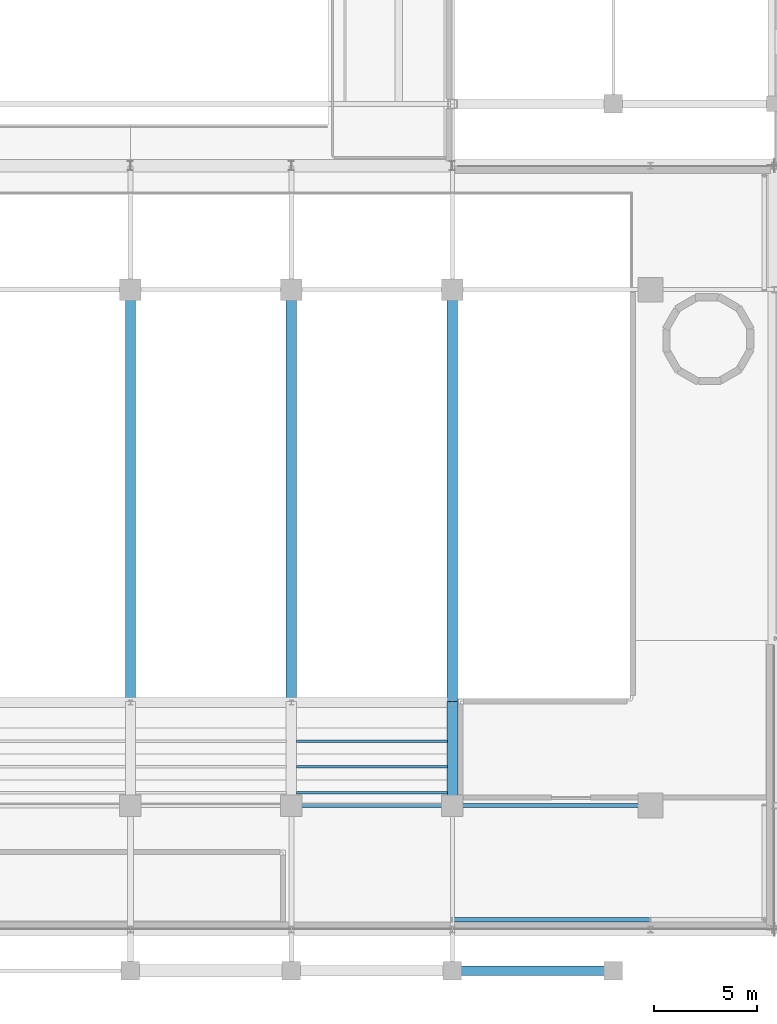
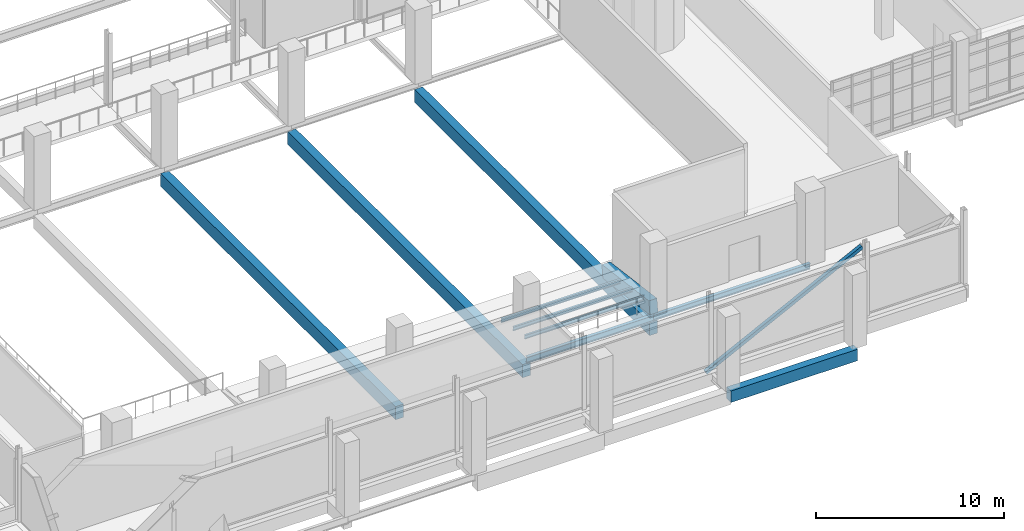
# One storey, part 38 of 102: 9 beams, 2 members.
"""IFC4 building model written with IfcOpenShell, lengths in metres."""

from ifc_helpers import new_model, si_unit, derived_unit, direction, frame, origin, origin_2d, place, context, subcontext, project, spatial, rectangle, hollow_rectangle, i_section, extrude, material, material_profile, profile_set, type_object, element, save


model = new_model("IFC4")

# Units and contexts
model_context = context("Model", 3, precision=1e-05, world=origin(), true_north=direction((0.0, 1.0)))
body_context = subcontext(model_context, "Body", "Model", "MODEL_VIEW")
ifc_project = project(units=[si_unit("LENGTHUNIT", "METRE"), si_unit("AREAUNIT", "SQUARE_METRE"), si_unit("VOLUMEUNIT", "CUBIC_METRE"), si_unit("PLANEANGLEUNIT", "RADIAN"), si_unit("MASSUNIT", "GRAM", prefix="KILO"), derived_unit("THERMALTRANSMITTANCEUNIT", [(si_unit("POWERUNIT", "WATT"), 1), (si_unit("LENGTHUNIT", "METRE"), -2), (si_unit("THERMODYNAMICTEMPERATUREUNIT", "KELVIN"), -1)])], contexts=[model_context])

# Site, building, storey
site_placement = place(None, origin())
site = spatial("IfcSite", under=ifc_project, at=site_placement, CompositionType="ELEMENT")
building_placement = place(site_placement, origin())
building = spatial("IfcBuilding", under=site, at=building_placement, Name="Nallur Shell Playhouse", CompositionType="ELEMENT")
storey_placement = place(building_placement, frame((0.0, 0.0, 15.0)))
storey = spatial("IfcBuildingStorey", under=building, at=storey_placement, Name="L04", CompositionType="ELEMENT", Elevation=15.0)

# Beams
ifc_material_1 = material(Name="Steel E250", Category="steel")
ifc_material_profile_1 = material_profile(ifc_material_1, i_section(OverallWidth=0.125, OverallDepth=0.25, WebThickness=0.0068359375, FlangeThickness=0.012451171875, FilletRadius=0.012939453125, at=origin_2d()), Name="ISMB 250")
ifc_profile_set_1 = profile_set([ifc_material_profile_1], Name="Steel E250")
beam_type_1 = type_object("IfcBeamType", Name="BM-JST-ISMB250", PredefinedType="JOIST", material=ifc_profile_set_1)
for number, where, z_axis, x_axis, name in (
    (1, (95.447998046875, 19.125, 0.10498046875), (1.0, 0.0, 0.0), (0.0, 1.0, 0.0), "Seating tier step bearer UPPER row 2 (95.2-103.0)"),
    (2, (95.447998046875, 17.875, 0.324951171875), (1.0, 0.0, 0.0), (0.0, 1.0, 0.0), "Seating tier step bearer UPPER row 3 (95.2-103.0)"),
    (3, (95.447998046875, 16.625, 0.544921875), (1.0, 0.0, 0.0), (0.0, 1.0, 0.0), "Seating tier step bearer UPPER row 4 (95.2-103.0)"),
):
    element("IfcBeam", number, at=place(storey_placement, frame(where, z_axis=z_axis, x_axis=x_axis)), inside=storey, type_object=beam_type_1, Name=name, PredefinedType="JOIST", context=body_context, shape_type="SweptSolid", body=[
        extrude(i_section(OverallWidth=0.125, OverallDepth=0.25, WebThickness=0.0068359375, FlangeThickness=0.012451171875, FilletRadius=0.012939453125, at=origin_2d()), origin(), (0.0, 0.0, 1.0), 7.303955078125),
    ])
ifc_material_2 = material(Name="Concrete M35", Category="concrete")
ifc_material_profile_2 = material_profile(ifc_material_2, rectangle(XDim=0.449951171875, YDim=0.75, at=origin_2d()), Name="RC 450x750")
ifc_profile_set_2 = profile_set([ifc_material_profile_2], Name="Concrete M35")
beam_type_2 = type_object("IfcBeamType", Name="BM-RC-450x750", PredefinedType="BEAM", material=ifc_profile_set_2)
beam_1_placement = place(storey_placement, frame((103.0, 8.0, -0.635009765625), z_axis=(1.0, 0.0, 0.0), x_axis=(0.0, 1.0, 0.0)))
element("IfcBeam", 4, at=beam_1_placement, inside=storey, type_object=beam_type_2, Name="L04 girder X-A-750", PredefinedType="BEAM", context=body_context, shape_type="SweptSolid", body=[
    extrude(rectangle(XDim=0.449951171875, YDim=0.75, at=origin_2d()), origin(), (0.0, 0.0, 1.0), 7.800048828125),
])
ifc_material_3 = material(Name="Concrete M40", Category="concrete")
ifc_material_profile_3 = material_profile(ifc_material_3, rectangle(XDim=0.5, YDim=0.85009765625, at=origin_2d()), Name="RC 500x850")
ifc_profile_set_3 = profile_set([ifc_material_profile_3], Name="Concrete M40")
beam_type_3 = type_object("IfcBeamType", Name="BM-RC-500x850", PredefinedType="BEAM", material=ifc_profile_set_3)
for number, where, z_axis, x_axis, name in (
    (5, (87.39990234375, 16.0, -1.139892578125), (0.0, 1.0, 0.0), (-1.0, 0.0, 0.0), "Auditorium balcony carrier girder UPPER X=87.4"),
    (6, (95.199951171875, 16.0, -1.139892578125), (0.0, 1.0, 0.0), (-1.0, 0.0, 0.0), "Auditorium balcony carrier girder UPPER X=95.2"),
    (7, (103.0, 16.0, -1.139892578125), (0.0, 1.0, 0.0), (-1.0, 0.0, 0.0), "Auditorium balcony carrier girder UPPER X=103.0"),
):
    element("IfcBeam", number, at=place(storey_placement, frame(where, z_axis=z_axis, x_axis=x_axis)), inside=storey, type_object=beam_type_3, Name=name, PredefinedType="BEAM", context=body_context, shape_type="SweptSolid", body=[
        extrude(rectangle(XDim=0.5, YDim=0.85009765625, at=origin_2d()), origin(), (0.0, 0.0, 1.0), 25.0),
    ])
ifc_material_4 = material(Name="Steel E350", Category="steel")
ifc_material_profile_4 = material_profile(ifc_material_4, i_section(OverallWidth=0.199951171875, OverallDepth=0.35009765625, WebThickness=0.008056640625, FlangeThickness=0.011474609375, FilletRadius=0.011962890625, at=origin_2d()), Name="ISWB 350")
ifc_profile_set_4 = profile_set([ifc_material_profile_4], Name="Steel E350")
beam_type_4 = type_object("IfcBeamType", Name="BM-ST-ISWB350", PredefinedType="BEAM", material=ifc_profile_set_4)
beam_2_placement = place(storey_placement, frame((103.0, 16.0, -0.43505859375), z_axis=(1.0, 0.0, 0.0), x_axis=(0.0, 1.0, 0.0)))
element("IfcBeam", 8, at=beam_2_placement, inside=storey, type_object=beam_type_4, Name="L04 girder X-B-758", PredefinedType="BEAM", context=body_context, shape_type="SweptSolid", body=[
    extrude(i_section(OverallWidth=0.199951171875, OverallDepth=0.35009765625, WebThickness=0.008056640625, FlangeThickness=0.011474609375, FilletRadius=0.011962890625, at=origin_2d()), origin(), (0.0, 0.0, 1.0), 9.60009765625),
])
ifc_material_profile_5 = material_profile(ifc_material_4, i_section(OverallWidth=0.199951171875, OverallDepth=0.39990234375, WebThickness=0.008544921875, FlangeThickness=0.012939453125, FilletRadius=0.012939453125, at=origin_2d()), Name="ISWB 400")
ifc_profile_set_5 = profile_set([ifc_material_profile_5], Name="Steel E350")
beam_type_5 = type_object("IfcBeamType", Name="BM-ST-ISWB400", PredefinedType="BEAM", material=ifc_profile_set_5)
beam_3_placement = place(storey_placement, frame((95.199951171875, 16.0, -0.4599609375), z_axis=(1.0, 0.0, 0.0), x_axis=(0.0, 1.0, 0.0)))
element("IfcBeam", 9, at=beam_3_placement, inside=storey, type_object=beam_type_5, Name="L04 girder X-B-757", PredefinedType="BEAM", context=body_context, shape_type="SweptSolid", body=[
    extrude(i_section(OverallWidth=0.199951171875, OverallDepth=0.39990234375, WebThickness=0.008544921875, FlangeThickness=0.012939453125, FilletRadius=0.012939453125, at=origin_2d()), origin(), (0.0, 0.0, 1.0), 7.800048828125),
])

# Members
ifc_material_profile_6 = material_profile(ifc_material_4, hollow_rectangle(XDim=0.219970703125, YDim=0.219970703125, WallThickness=0.011962890625, at=origin_2d()), Name="SHS 220x220x12")
ifc_profile_set_6 = profile_set([ifc_material_profile_6], Name="Steel E350")
member_type_1 = type_object("IfcMemberType", Name="MB-FT-BRACE2", PredefinedType="BRACE", material=ifc_profile_set_6)
member_1_placement = place(storey_placement, frame((103.0, 10.47998046875, -0.659912109375), z_axis=(0.894063103562, 0.0, 0.44794103055), x_axis=(0.0, 1.0, 0.0)))
element("IfcMember", 10, at=member_1_placement, inside=storey, type_object=member_type_1, Name="Gold box fascia brace L04-8", PredefinedType="BRACE", context=body_context, shape_type="SweptSolid", body=[
    extrude(hollow_rectangle(XDim=0.219970703125, YDim=0.219970703125, WallThickness=0.011962890625, at=origin_2d()), origin(), (0.0, 0.0, 1.0), 10.737548828125),
])
ifc_material_profile_7 = material_profile(ifc_material_3, rectangle(XDim=0.5, YDim=0.85009765625, at=origin_2d()), Name="RC 500x850")
ifc_profile_set_7 = profile_set([ifc_material_profile_7], Name="Concrete M40")
member_type_2 = type_object("IfcMemberType", Name="MB-RAKER-RC", PredefinedType="STRINGER", material=ifc_profile_set_7)
member_2_placement = place(storey_placement, frame((103.0, 21.0, -0.4150390625), z_axis=(0.0, -0.991396200209, 0.130895279559), x_axis=(1.0, 0.0, 0.0)))
element("IfcMember", 11, at=member_2_placement, inside=storey, type_object=member_type_2, Name="Auditorium raker beam UPPER RAKER 4", PredefinedType="STRINGER", context=body_context, shape_type="SweptSolid", body=[
    extrude(rectangle(XDim=0.5, YDim=0.85009765625, at=origin_2d()), origin(), (0.0, 0.0, 1.0), 5.04345703125),
])

save(model, "model.ifc")
